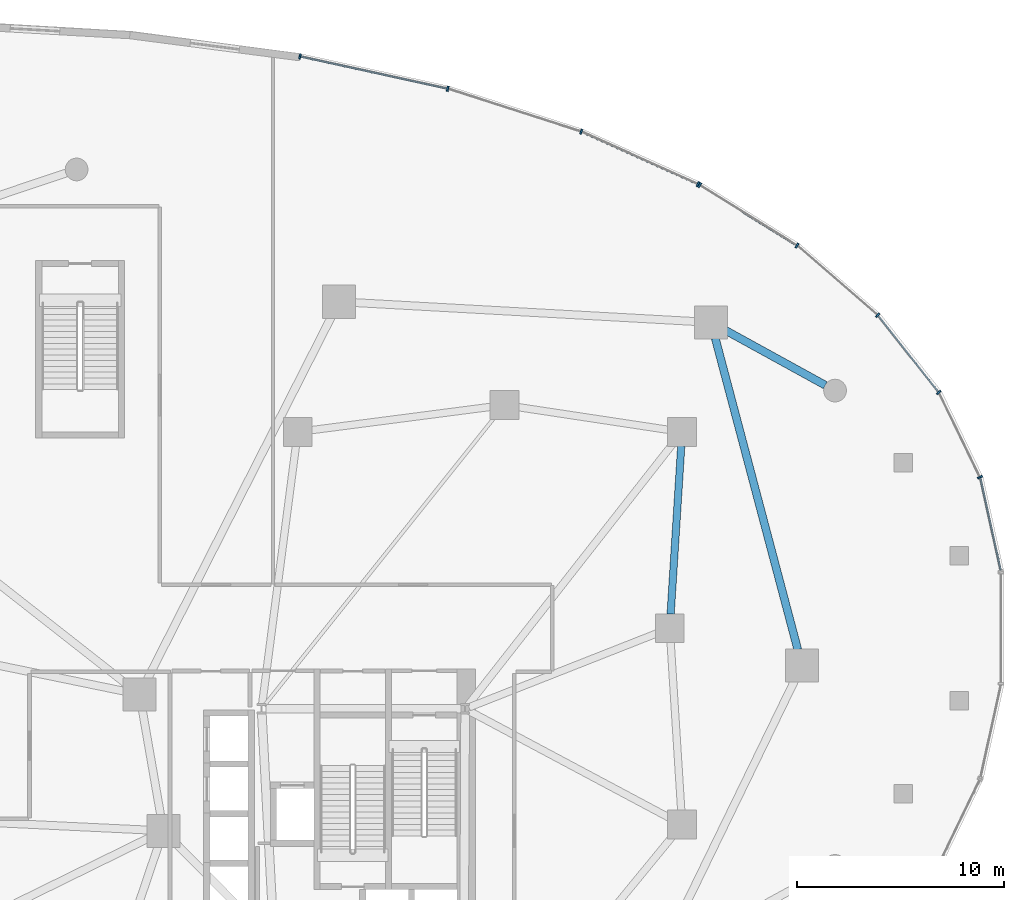
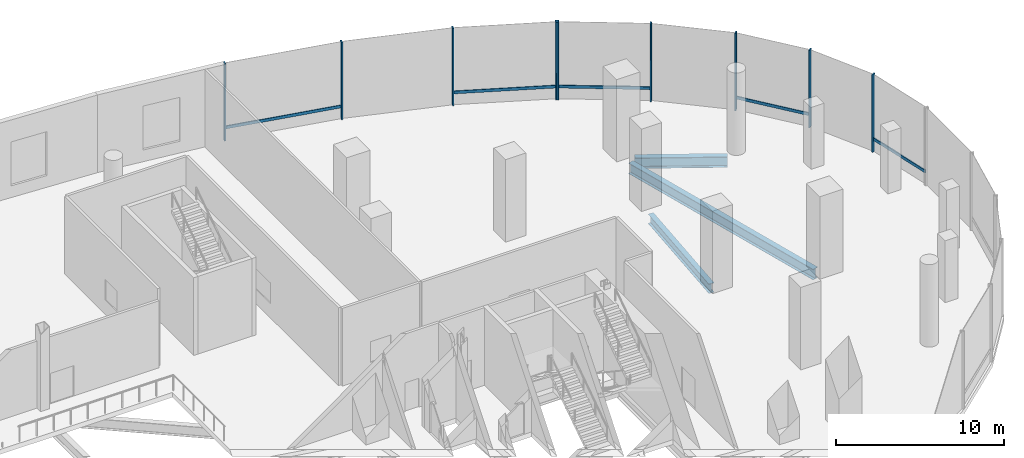
# One storey, part 10 of 20: 14 members, 3 beams, 2 elements without a shape of their own.
"""IFC4 building model written with IfcOpenShell, lengths in metres."""

from ifc_helpers import new_model, si_unit, direction, frame, origin, origin_2d, place, context, subcontext, project, spatial, rectangle, i_section, extrude, material, material_profile, profile_set, type_object, element, aggregate, save


model = new_model("IFC4")

# Units and contexts
model_context = context("Model", 3, precision=1e-05, world=origin(), true_north=direction((0.0, 1.0)))
body_context = subcontext(model_context, "Body", "Model", "MODEL_VIEW")
ifc_project = project(units=[si_unit("LENGTHUNIT", "METRE"), si_unit("AREAUNIT", "SQUARE_METRE"), si_unit("VOLUMEUNIT", "CUBIC_METRE"), si_unit("PLANEANGLEUNIT", "RADIAN"), si_unit("MASSUNIT", "GRAM", prefix="KILO"), si_unit("THERMODYNAMICTEMPERATUREUNIT", "KELVIN"), si_unit("POWERUNIT", "WATT")], contexts=[model_context])

# Site, building, storey
site_placement = place(None, origin())
site = spatial("IfcSite", under=ifc_project, at=site_placement, CompositionType="ELEMENT")
building_placement = place(site_placement, origin())
building = spatial("IfcBuilding", under=site, at=building_placement, Name="Cundina Bronze Exchange", CompositionType="ELEMENT")
storey_placement = place(building_placement, frame((0.0, 0.0, 6.0)))
storey = spatial("IfcBuildingStorey", under=building, at=storey_placement, Name="L01", CompositionType="ELEMENT", Elevation=6.0)

# Beams
ifc_material_1 = material(Name="Steel ASTM A992 Grade 50", Category="steel")
ifc_material_profile_1 = material_profile(ifc_material_1, i_section(OverallWidth=0.35498046875, OverallDepth=0.695068359375, WebThickness=0.015380859375, FlangeThickness=0.02490234375, FilletRadius=0.01806640625, at=origin_2d()), Name="W27X146", Category="steel")
ifc_profile_set_1 = profile_set([ifc_material_profile_1], Name="Steel ASTM A992 Grade 50")
beam_type_1 = type_object("IfcBeamType", Name="BM-RING-W27", PredefinedType="USERDEFINED", material=ifc_profile_set_1)
beam_1_placement = place(storey_placement, frame((41.243408203125, 0.6865234375, -0.697509765625), z_axis=(0.063020359641, 0.998012241544, 0.0), x_axis=(-0.998012241544, 0.063020359641, 0.0)))
element("IfcBeam", 1, at=beam_1_placement, inside=storey, type_object=beam_type_1, Name="L01 E Inner Structural Ring Girder 04", ObjectType="GIRDER", PredefinedType="USERDEFINED", context=body_context, shape_type="SweptSolid", body=[
    extrude(i_section(OverallWidth=0.35498046875, OverallDepth=0.695068359375, WebThickness=0.015380859375, FlangeThickness=0.02490234375, FilletRadius=0.01806640625, at=origin_2d()), origin(), (0.0, 0.0, 1.0), 8.14306640625),
])
ifc_material_profile_2 = material_profile(ifc_material_1, i_section(OverallWidth=0.381103515625, OverallDepth=0.77294921875, WebThickness=0.0166015625, FlangeThickness=0.027099609375, FilletRadius=0.01904296875, at=origin_2d()), Name="W30X173", Category="steel")
ifc_profile_set_2 = profile_set([ifc_material_profile_2], Name="Steel ASTM A992 Grade 50")
beam_type_2 = type_object("IfcBeamType", Name="BM-RING-W30", PredefinedType="USERDEFINED", material=ifc_profile_set_2)
beam_2_placement = place(storey_placement, frame((48.728515625, 11.75927734375, -0.736572265625), z_axis=(-0.876222443353, 0.481906868351, 0.0), x_axis=(-0.481906868351, -0.876222443353, 0.0)))
element("IfcBeam", 2, at=beam_2_placement, inside=storey, type_object=beam_type_2, Name="L01 Podium Colonnade Tie Beam 07", ObjectType="GIRDER", PredefinedType="USERDEFINED", context=body_context, shape_type="SweptSolid", body=[
    extrude(i_section(OverallWidth=0.381103515625, OverallDepth=0.77294921875, WebThickness=0.0166015625, FlangeThickness=0.027099609375, FilletRadius=0.01904296875, at=origin_2d()), origin(), (0.0, 0.0, 1.0), 5.521484375),
])
beam_3_placement = place(storey_placement, frame((47.398193359375, -1.038330078125, -0.736572265625), z_axis=(-0.256219519418, 0.966618620692, 0.0), x_axis=(-0.966618620692, -0.256219519418, 0.0)))
element("IfcBeam", 3, at=beam_3_placement, inside=storey, type_object=beam_type_2, Name="L01 E Podium Ring Girder 08", ObjectType="GIRDER", PredefinedType="USERDEFINED", context=body_context, shape_type="SweptSolid", body=[
    extrude(i_section(OverallWidth=0.381103515625, OverallDepth=0.77294921875, WebThickness=0.0166015625, FlangeThickness=0.027099609375, FilletRadius=0.01904296875, at=origin_2d()), origin(), (0.0, 0.0, 1.0), 15.597412109375),
])

# Curtain wall, members
ifc_material_2 = material(Name="Anodised Bronze Aluminium 6063-T6", Category="aluminium")
curtain_wall_type = type_object("IfcCurtainWallType", Name="CWS-POD-CONC", PredefinedType="NOTDEFINED", material=ifc_material_2)
curtain_wall_1_placement = place(storey_placement, origin())
curtain_wall_1 = element("IfcCurtainWall", 4, at=curtain_wall_1_placement, inside=storey, type_object=curtain_wall_type, Name="L01 CW-01 Curtain Wall Run CWR-L01-01", PredefinedType="NOTDEFINED")
ifc_material_profile_3 = material_profile(ifc_material_2, rectangle(XDim=0.0849609375, YDim=0.25, at=origin_2d()), Name="AL85X250", Category="aluminium")
ifc_profile_set_3 = profile_set([ifc_material_profile_3], Name="Anodised Bronze Aluminium 6063-T6")
member_type_1 = type_object("IfcMemberType", Name="CWM-MUL-250", PredefinedType="MULLION", material=ifc_profile_set_3)
member_1_placement = place(storey_placement, frame((56.211669921875, 7.311279296875, 0.0), z_axis=(0.0, 0.0, 1.0), x_axis=(-0.435702445497, 0.900090761528, 0.0)))
member_1 = element("IfcMember", 5, at=member_1_placement, type_object=member_type_1, Name="CW-01 Mullion 2", PredefinedType="MULLION", context=body_context, shape_type="SweptSolid", body=[
    extrude(rectangle(XDim=0.0849609375, YDim=0.25, at=origin_2d()), origin(), (0.0, 0.0, 1.0), 5.64990234375),
])
member_2_placement = place(storey_placement, frame((54.21728515625, 11.408935546875, 0.0), z_axis=(0.0, 0.0, 1.0), x_axis=(-0.61950505541, 0.784992666412, 0.0)))
member_2 = element("IfcMember", 6, at=member_2_placement, type_object=member_type_1, Name="CW-01 Mullion 3", PredefinedType="MULLION", context=body_context, shape_type="SweptSolid", body=[
    extrude(rectangle(XDim=0.0849609375, YDim=0.25, at=origin_2d()), origin(), (0.0, 0.0, 1.0), 5.64990234375),
])
member_3_placement = place(storey_placement, frame((51.257080078125, 15.146484375, 0.0), z_axis=(0.0, 0.0, 1.0), x_axis=(-0.755510544084, 0.6551364879, 0.0)))
member_3 = element("IfcMember", 7, at=member_3_placement, type_object=member_type_1, Name="CW-01 Mullion 4", PredefinedType="MULLION", context=body_context, shape_type="SweptSolid", body=[
    extrude(rectangle(XDim=0.0849609375, YDim=0.25, at=origin_2d()), origin(), (0.0, 0.0, 1.0), 5.64990234375),
])
member_4_placement = place(storey_placement, frame((47.35986328125, 18.515380859375, 0.0), z_axis=(0.0, 0.0, 1.0), x_axis=(-0.849248260906, 0.527993741769, 0.0)))
member_4 = element("IfcMember", 8, at=member_4_placement, type_object=member_type_1, Name="CW-01 Mullion 5", PredefinedType="MULLION", context=body_context, shape_type="SweptSolid", body=[
    extrude(rectangle(XDim=0.0849609375, YDim=0.25, at=origin_2d()), origin(), (0.0, 0.0, 1.0), 5.64990234375),
])
member_5_placement = place(storey_placement, frame((42.654052734375, 21.4404296875, 0.0), z_axis=(0.0, 0.0, 1.0), x_axis=(-0.849248260906, 0.527993741769, 0.0)))
member_5 = element("IfcMember", 9, at=member_5_placement, type_object=member_type_1, Name="CW-01 End Mullion", PredefinedType="MULLION", context=body_context, shape_type="SweptSolid", body=[
    extrude(rectangle(XDim=0.0849609375, YDim=0.25, at=origin_2d()), origin(), (0.0, 0.0, 1.0), 5.64990234375),
])

curtain_wall_2_placement = place(storey_placement, origin())
curtain_wall_2 = element("IfcCurtainWall", 10, at=curtain_wall_2_placement, inside=storey, type_object=curtain_wall_type, Name="L01 CW-01 Curtain Wall Run CWR-L01-02", PredefinedType="NOTDEFINED")
member_6_placement = place(storey_placement, frame((42.566162109375, 21.4873046875, 0.0), z_axis=(0.0, 0.0, 1.0), x_axis=(-0.911618620107, 0.411037092578, 0.0)))
member_6 = element("IfcMember", 11, at=member_6_placement, type_object=member_type_1, Name="CW-01 Mullion 1", PredefinedType="MULLION", context=body_context, shape_type="SweptSolid", body=[
    extrude(rectangle(XDim=0.0849609375, YDim=0.25, at=origin_2d()), origin(), (0.0, 0.0, 1.0), 5.64990234375),
])
member_7_placement = place(storey_placement, frame((36.91796875, 24.027099609375, 0.0), z_axis=(0.0, 0.0, 1.0), x_axis=(-0.951862260753, 0.306526078098, 0.0)))
member_7 = element("IfcMember", 12, at=member_7_placement, type_object=member_type_1, Name="CW-01 Mullion 2", PredefinedType="MULLION", context=body_context, shape_type="SweptSolid", body=[
    extrude(rectangle(XDim=0.0849609375, YDim=0.25, at=origin_2d()), origin(), (0.0, 0.0, 1.0), 5.64990234375),
])
member_8_placement = place(storey_placement, frame((30.456787109375, 26.10302734375, 0.0), z_axis=(0.0, 0.0, 1.0), x_axis=(-0.976896613081, 0.213712440794, 0.0)))
member_8 = element("IfcMember", 13, at=member_8_placement, type_object=member_type_1, Name="CW-01 Mullion 3", PredefinedType="MULLION", context=body_context, shape_type="SweptSolid", body=[
    extrude(rectangle(XDim=0.0849609375, YDim=0.25, at=origin_2d()), origin(), (0.0, 0.0, 1.0), 5.64990234375),
])
member_9_placement = place(storey_placement, frame((23.30810546875, 27.66650390625, 0.0), z_axis=(0.0, 0.0, 1.0), x_axis=(-0.976896613081, 0.213712440794, 0.0)))
member_9 = element("IfcMember", 14, at=member_9_placement, type_object=member_type_1, Name="CW-01 End Mullion", PredefinedType="MULLION", context=body_context, shape_type="SweptSolid", body=[
    extrude(rectangle(XDim=0.0849609375, YDim=0.25, at=origin_2d()), origin(), (0.0, 0.0, 1.0), 5.64990234375),
])

# Member
ifc_material_profile_4 = material_profile(ifc_material_2, rectangle(XDim=0.080078125, YDim=0.2099609375, at=origin_2d()), Name="AL80X210", Category="aluminium")
ifc_profile_set_4 = profile_set([ifc_material_profile_4], Name="Anodised Bronze Aluminium 6063-T6")
member_type_2 = type_object("IfcMemberType", Name="CWM-TRN-210", PredefinedType="USERDEFINED", material=ifc_profile_set_4)
member_10_placement = place(storey_placement, frame((57.209716796875, 2.812744140625, 0.919921875), z_axis=(-0.214548972216, 0.97671323249, 0.0), x_axis=(-0.97671323249, -0.214548972216, 0.0)))
member_10 = element("IfcMember", 15, at=member_10_placement, type_object=member_type_2, Name="CW-01 Spandrel Transom 1", ObjectType="TRANSOM", PredefinedType="USERDEFINED", context=body_context, shape_type="SweptSolid", body=[
    extrude(rectangle(XDim=0.080078125, YDim=0.2099609375, at=origin_2d()), origin(), (0.0, 0.0, 1.0), 4.571044921875),
])

member_11_placement = place(storey_placement, frame((54.1884765625, 11.445556640625, 0.919921875), z_axis=(-0.619486880186, 0.7850070097, 0.0), x_axis=(-0.7850070097, -0.619486880186, 0.0)))
member_11 = element("IfcMember", 16, at=member_11_placement, type_object=member_type_2, Name="CW-01 Spandrel Transom 3", ObjectType="TRANSOM", PredefinedType="USERDEFINED", context=body_context, shape_type="SweptSolid", body=[
    extrude(rectangle(XDim=0.080078125, YDim=0.2099609375, at=origin_2d()), origin(), (0.0, 0.0, 1.0), 4.67724609375),
])

member_12_placement = place(storey_placement, frame((47.3203125, 18.539794921875, 0.919921875), z_axis=(-0.849292385138, 0.527922763808, 0.0), x_axis=(-0.527922763808, -0.849292385138, 0.0)))
member_12 = element("IfcMember", 17, at=member_12_placement, type_object=member_type_2, Name="CW-01 Spandrel Transom 5", ObjectType="TRANSOM", PredefinedType="USERDEFINED", context=body_context, shape_type="SweptSolid", body=[
    extrude(rectangle(XDim=0.080078125, YDim=0.2099609375, at=origin_2d()), origin(), (0.0, 0.0, 1.0), 5.44775390625),
])

aggregate(curtain_wall_1, [member_10, member_1, member_2, member_11, member_3, member_4, member_5, member_12])

member_13_placement = place(storey_placement, frame((42.5234375, 21.506591796875, 0.919921875), z_axis=(-0.911656553379, 0.410952951908, 0.0), x_axis=(-0.410952951908, -0.911656553379, 0.0)))
member_13 = element("IfcMember", 18, at=member_13_placement, type_object=member_type_2, Name="CW-01 Spandrel Transom 1", ObjectType="TRANSOM", PredefinedType="USERDEFINED", context=body_context, shape_type="SweptSolid", body=[
    extrude(rectangle(XDim=0.080078125, YDim=0.2099609375, at=origin_2d()), origin(), (0.0, 0.0, 1.0), 6.090576171875),
])

member_14_placement = place(storey_placement, frame((30.4111328125, 26.113037109375, 0.919921875), z_axis=(-0.976909937501, 0.213651524713, 0.0), x_axis=(-0.213651524713, -0.976909937501, 0.0)))
member_14 = element("IfcMember", 19, at=member_14_placement, type_object=member_type_2, Name="CW-01 Spandrel Transom 3", ObjectType="TRANSOM", PredefinedType="USERDEFINED", context=body_context, shape_type="SweptSolid", body=[
    extrude(rectangle(XDim=0.080078125, YDim=0.2099609375, at=origin_2d()), origin(), (0.0, 0.0, 1.0), 7.22412109375),
])

aggregate(curtain_wall_2, [member_6, member_13, member_7, member_8, member_9, member_14])

save(model, "model.ifc")
